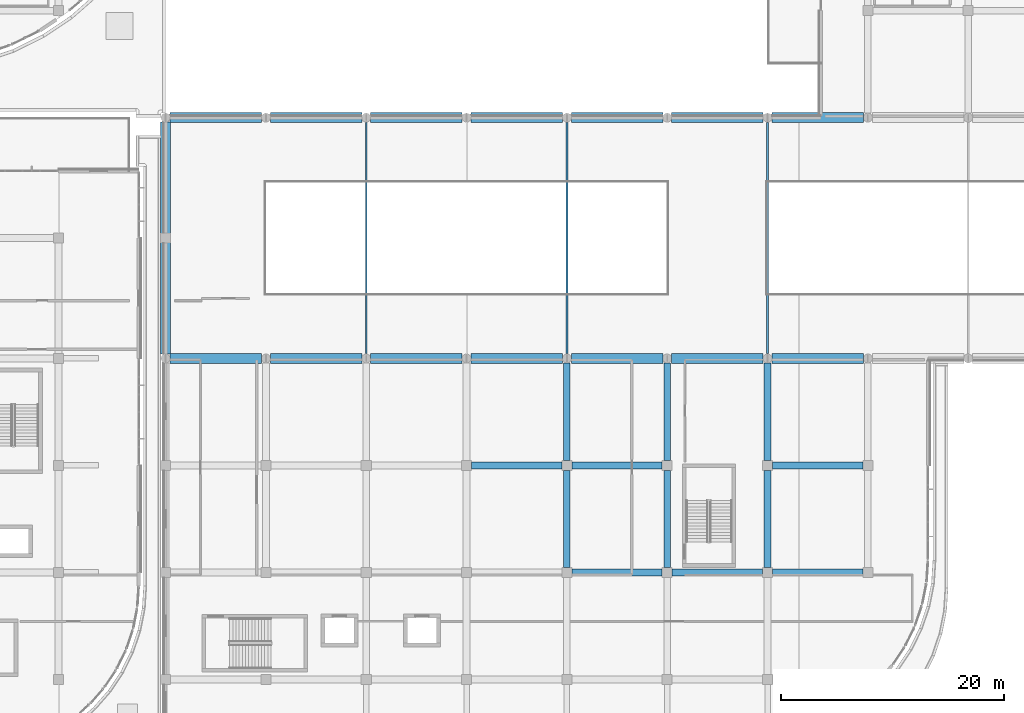
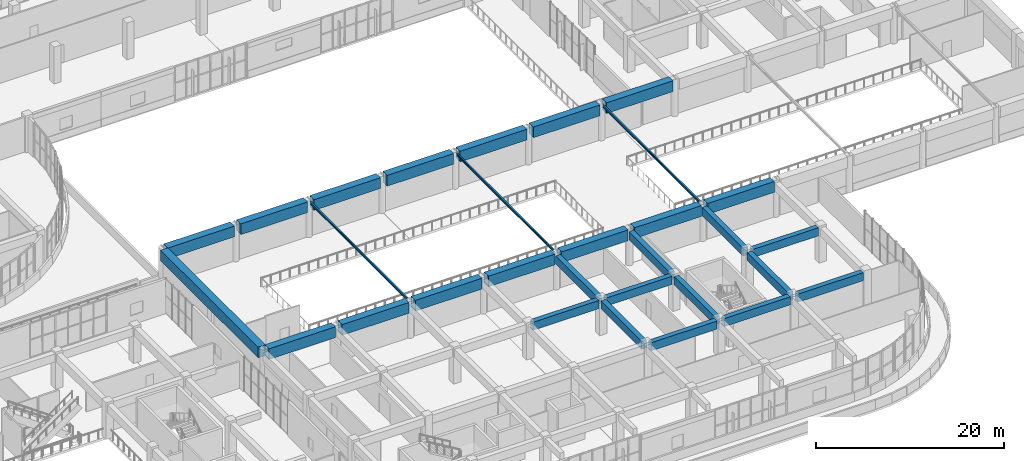
# One storey, part 22 of 96: 27 beams, 3 members.
"""IFC4 building model written with IfcOpenShell, lengths in metres."""

from ifc_helpers import new_model, si_unit, direction, frame, origin, origin_2d, place, context, subcontext, project, spatial, rectangle, i_section, extrude, material, material_profile, profile_set, type_object, element, save


model = new_model("IFC4")

# Units and contexts
model_context = context("Model", 3, precision=1e-05, world=origin(), true_north=direction((0.0, 1.0)))
body_context = subcontext(model_context, "Body", "Model", "MODEL_VIEW")
ifc_project = project(units=[si_unit("LENGTHUNIT", "METRE"), si_unit("AREAUNIT", "SQUARE_METRE"), si_unit("VOLUMEUNIT", "CUBIC_METRE"), si_unit("PLANEANGLEUNIT", "RADIAN"), si_unit("MASSUNIT", "GRAM", prefix="KILO")], contexts=[model_context])

# Site, building, storey
site_placement = place(None, origin())
site = spatial("IfcSite", under=ifc_project, at=site_placement, CompositionType="ELEMENT")
building_placement = place(site_placement, origin())
building = spatial("IfcBuilding", under=site, at=building_placement, Name="Cendralis Terraced Arcade", CompositionType="ELEMENT")
storey_placement = place(building_placement, frame((0.0, 0.0, 10.199951171875)))
storey = spatial("IfcBuildingStorey", under=building, at=storey_placement, Name="L02", CompositionType="ELEMENT", Elevation=10.199951171875)

# Beams
ifc_material_1 = material(Name="Concrete f'c 35 MPa", Category="concrete")
ifc_material_profile_1 = material_profile(ifc_material_1, rectangle(XDim=0.60009765625, YDim=1.050048828125, at=origin_2d()), Name="RC-BM-600x1050", Category="LoadBearing")
ifc_profile_set_1 = profile_set([ifc_material_profile_1], Name="Concrete f'c 35 MPa")
beam_type_1 = type_object("IfcBeamType", Name="BM-600x1050", PredefinedType="JOIST", material=ifc_profile_set_1)
for number, where, z_axis, x_axis, name in (
    (1, (103.64990234375, 19.199951171875, 3.989990234375), (1.0, 0.0, 0.0), (0.0, 1.0, 0.0), "Reinforced Concrete Frame Beam BM-X-L03-C-12_13"),
    (2, (112.64990234375, 19.199951171875, 3.989990234375), (1.0, 0.0, 0.0), (0.0, 1.0, 0.0), "Reinforced Concrete Frame Beam BM-X-L03-C-13_14"),
    (3, (121.64990234375, 19.199951171875, 3.989990234375), (1.0, 0.0, 0.0), (0.0, 1.0, 0.0), "Reinforced Concrete Frame Beam BM-X-L03-C-14_15"),
    (4, (94.64990234375, 28.800048828125, 3.989990234375), (1.0, 0.0, 0.0), (0.0, 1.0, 0.0), "Reinforced Concrete Frame Beam BM-X-L03-D-11_12"),
    (5, (103.64990234375, 28.800048828125, 3.989990234375), (1.0, 0.0, 0.0), (0.0, 1.0, 0.0), "Reinforced Concrete Frame Beam BM-X-L03-D-12_13"),
    (6, (121.64990234375, 28.800048828125, 3.989990234375), (1.0, 0.0, 0.0), (0.0, 1.0, 0.0), "Reinforced Concrete Frame Beam BM-X-L03-D-14_15"),
):
    element("IfcBeam", number, at=place(storey_placement, frame(where, z_axis=z_axis, x_axis=x_axis)), inside=storey, type_object=beam_type_1, Name=name, PredefinedType="JOIST", context=body_context, shape_type="SweptSolid", body=[
        extrude(rectangle(XDim=0.60009765625, YDim=1.050048828125, at=origin_2d()), origin(), (0.0, 0.0, 1.0), 8.10009765625),
    ])
beam_1_placement = place(storey_placement, frame((103.199951171875, 19.64990234375, 3.989990234375), z_axis=(0.0, 1.0, 0.0), x_axis=(-1.0, 0.0, 0.0)))
element("IfcBeam", 7, at=beam_1_placement, inside=storey, type_object=beam_type_1, Name="Reinforced Concrete Frame Beam BM-Y-L03-12-C_D", PredefinedType="JOIST", context=body_context, shape_type="SweptSolid", body=[
    extrude(rectangle(XDim=0.60009765625, YDim=1.050048828125, at=origin_2d()), origin(), (0.0, 0.0, 1.0), 8.7001953125),
])
beam_2_placement = place(storey_placement, frame((103.199951171875, 29.25, 3.989990234375), z_axis=(0.0, 1.0, 0.0), x_axis=(-1.0, 0.0, 0.0)))
element("IfcBeam", 8, at=beam_2_placement, inside=storey, type_object=beam_type_1, Name="Reinforced Concrete Frame Beam BM-Y-L03-12-D_E", PredefinedType="JOIST", context=body_context, shape_type="SweptSolid", body=[
    extrude(rectangle(XDim=0.60009765625, YDim=1.050048828125, at=origin_2d()), origin(), (0.0, 0.0, 1.0), 8.75),
])
beam_3_placement = place(storey_placement, frame((112.199951171875, 19.64990234375, 3.989990234375), z_axis=(0.0, 1.0, 0.0), x_axis=(-1.0, 0.0, 0.0)))
element("IfcBeam", 9, at=beam_3_placement, inside=storey, type_object=beam_type_1, Name="Reinforced Concrete Frame Beam BM-Y-L03-13-C_D", PredefinedType="JOIST", context=body_context, shape_type="SweptSolid", body=[
    extrude(rectangle(XDim=0.60009765625, YDim=1.050048828125, at=origin_2d()), origin(), (0.0, 0.0, 1.0), 8.7001953125),
])
beam_4_placement = place(storey_placement, frame((112.199951171875, 29.25, 3.989990234375), z_axis=(0.0, 1.0, 0.0), x_axis=(-1.0, 0.0, 0.0)))
element("IfcBeam", 10, at=beam_4_placement, inside=storey, type_object=beam_type_1, Name="Reinforced Concrete Frame Beam BM-Y-L03-13-D_E", PredefinedType="JOIST", context=body_context, shape_type="SweptSolid", body=[
    extrude(rectangle(XDim=0.60009765625, YDim=1.050048828125, at=origin_2d()), origin(), (0.0, 0.0, 1.0), 8.75),
])
beam_5_placement = place(storey_placement, frame((121.199951171875, 19.64990234375, 3.989990234375), z_axis=(0.0, 1.0, 0.0), x_axis=(-1.0, 0.0, 0.0)))
element("IfcBeam", 11, at=beam_5_placement, inside=storey, type_object=beam_type_1, Name="Reinforced Concrete Frame Beam BM-Y-L03-14-C_D", PredefinedType="JOIST", context=body_context, shape_type="SweptSolid", body=[
    extrude(rectangle(XDim=0.60009765625, YDim=1.050048828125, at=origin_2d()), origin(), (0.0, 0.0, 1.0), 8.7001953125),
])
beam_6_placement = place(storey_placement, frame((121.199951171875, 29.25, 3.989990234375), z_axis=(0.0, 1.0, 0.0), x_axis=(-1.0, 0.0, 0.0)))
element("IfcBeam", 12, at=beam_6_placement, inside=storey, type_object=beam_type_1, Name="Reinforced Concrete Frame Beam BM-Y-L03-14-D_E", PredefinedType="JOIST", context=body_context, shape_type="SweptSolid", body=[
    extrude(rectangle(XDim=0.60009765625, YDim=1.050048828125, at=origin_2d()), origin(), (0.0, 0.0, 1.0), 8.75),
])

# Members
ifc_material_2 = material(Name="Steel ASTM A992 Grade 50", Category="steel")
ifc_material_profile_2 = material_profile(ifc_material_2, i_section(OverallWidth=0.166015625, OverallDepth=0.31298828125, WebThickness=0.006591796875, FlangeThickness=0.01123046875, FilletRadius=0.010009765625, at=origin_2d()), Name="W310X44.5", Category="LoadBearing")
ifc_profile_set_2 = profile_set([ifc_material_profile_2], Name="Steel ASTM A992 Grade 50")
member_type = type_object("IfcMemberType", Name="MEM-TIE-W310", PredefinedType="BRACE", material=ifc_profile_set_2)
for number, where, z_axis, x_axis, name in (
    (13, (85.199951171875, 38.85009765625, 4.550048828125), (0.0, 1.0, 0.0), (-1.0, 0.0, 0.0), "Shopping Arcade Barrel Vault Tension Tie 03"),
    (14, (103.199951171875, 38.85009765625, 4.550048828125), (0.0, 1.0, 0.0), (-1.0, 0.0, 0.0), "Shopping Arcade Barrel Vault Tension Tie 05"),
    (15, (121.199951171875, 38.85009765625, 4.550048828125), (0.0, 1.0, 0.0), (-1.0, 0.0, 0.0), "Shopping Arcade Barrel Vault Tension Tie 07"),
):
    element("IfcMember", number, at=place(storey_placement, frame(where, z_axis=z_axis, x_axis=x_axis)), inside=storey, type_object=member_type, Name=name, PredefinedType="BRACE", context=body_context, shape_type="SweptSolid", body=[
        extrude(i_section(OverallWidth=0.166015625, OverallDepth=0.31298828125, WebThickness=0.006591796875, FlangeThickness=0.01123046875, FilletRadius=0.010009765625, at=origin_2d()), origin(), (0.0, 0.0, 1.0), 20.699951171875),
    ])

# Beams
ifc_material_profile_3 = material_profile(ifc_material_1, rectangle(XDim=0.89990234375, YDim=1.39990234375, at=origin_2d()), Name="RC-RB-900x1400", Category="LoadBearing")
ifc_profile_set_3 = profile_set([ifc_material_profile_3], Name="Concrete f'c 35 MPa")
beam_type_2 = type_object("IfcBeamType", Name="RB-900x1400", PredefinedType="BEAM", material=ifc_profile_set_3)
for number, where, z_axis, x_axis, name in (
    (16, (67.60009765625, 38.39990234375, 4.10009765625), (1.0, 0.0, 0.0), (0.0, 1.0, 0.0), "Shopping Arcade Barrel Vault Springing Ring Beam RB-ARC-S-01"),
    (17, (76.60009765625, 38.39990234375, 4.10009765625), (1.0, 0.0, 0.0), (0.0, 1.0, 0.0), "Shopping Arcade Barrel Vault Springing Ring Beam RB-ARC-S-02"),
    (18, (85.60009765625, 38.39990234375, 4.10009765625), (1.0, 0.0, 0.0), (0.0, 1.0, 0.0), "Shopping Arcade Barrel Vault Springing Ring Beam RB-ARC-S-03"),
    (19, (94.60009765625, 38.39990234375, 4.10009765625), (1.0, 0.0, 0.0), (0.0, 1.0, 0.0), "Shopping Arcade Barrel Vault Springing Ring Beam RB-ARC-S-04"),
    (20, (103.60009765625, 38.39990234375, 4.10009765625), (1.0, 0.0, 0.0), (0.0, 1.0, 0.0), "Shopping Arcade Barrel Vault Springing Ring Beam RB-ARC-S-05"),
    (21, (112.60009765625, 38.39990234375, 4.10009765625), (1.0, 0.0, 0.0), (0.0, 1.0, 0.0), "Shopping Arcade Barrel Vault Springing Ring Beam RB-ARC-S-06"),
    (22, (121.60009765625, 38.39990234375, 4.10009765625), (1.0, 0.0, 0.0), (0.0, 1.0, 0.0), "Shopping Arcade Barrel Vault Springing Ring Beam RB-ARC-S-07"),
    (23, (67.60009765625, 60.0, 4.10009765625), (1.0, 0.0, 0.0), (0.0, 1.0, 0.0), "Shopping Arcade Barrel Vault Springing Ring Beam RB-ARC-N-01"),
    (24, (76.60009765625, 60.0, 4.10009765625), (1.0, 0.0, 0.0), (0.0, 1.0, 0.0), "Shopping Arcade Barrel Vault Springing Ring Beam RB-ARC-N-02"),
    (25, (85.60009765625, 60.0, 4.10009765625), (1.0, 0.0, 0.0), (0.0, 1.0, 0.0), "Shopping Arcade Barrel Vault Springing Ring Beam RB-ARC-N-03"),
    (26, (94.60009765625, 60.0, 4.10009765625), (1.0, 0.0, 0.0), (0.0, 1.0, 0.0), "Shopping Arcade Barrel Vault Springing Ring Beam RB-ARC-N-04"),
    (27, (103.60009765625, 60.0, 4.10009765625), (1.0, 0.0, 0.0), (0.0, 1.0, 0.0), "Shopping Arcade Barrel Vault Springing Ring Beam RB-ARC-N-05"),
    (28, (112.60009765625, 60.0, 4.10009765625), (1.0, 0.0, 0.0), (0.0, 1.0, 0.0), "Shopping Arcade Barrel Vault Springing Ring Beam RB-ARC-N-06"),
    (29, (121.60009765625, 60.0, 4.10009765625), (1.0, 0.0, 0.0), (0.0, 1.0, 0.0), "Shopping Arcade Barrel Vault Springing Ring Beam RB-ARC-N-07"),
):
    element("IfcBeam", number, at=place(storey_placement, frame(where, z_axis=z_axis, x_axis=x_axis)), inside=storey, type_object=beam_type_2, Name=name, PredefinedType="BEAM", context=body_context, shape_type="SweptSolid", body=[
        extrude(rectangle(XDim=0.89990234375, YDim=1.39990234375, at=origin_2d()), origin(), (0.0, 0.0, 1.0), 8.199951171875),
    ])
beam_7_placement = place(storey_placement, frame((67.199951171875, 38.800048828125, 4.10009765625), z_axis=(0.0, 1.0, 0.0), x_axis=(-1.0, 0.0, 0.0)))
element("IfcBeam", 30, at=beam_7_placement, inside=storey, type_object=beam_type_2, Name="Shopping Arcade Barrel Vault Gable Ring Beam RB-ARC-W", PredefinedType="BEAM", context=body_context, shape_type="SweptSolid", body=[
    extrude(rectangle(XDim=0.89990234375, YDim=1.39990234375, at=origin_2d()), origin(), (0.0, 0.0, 1.0), 20.800048828125),
])

save(model, "model.ifc")
